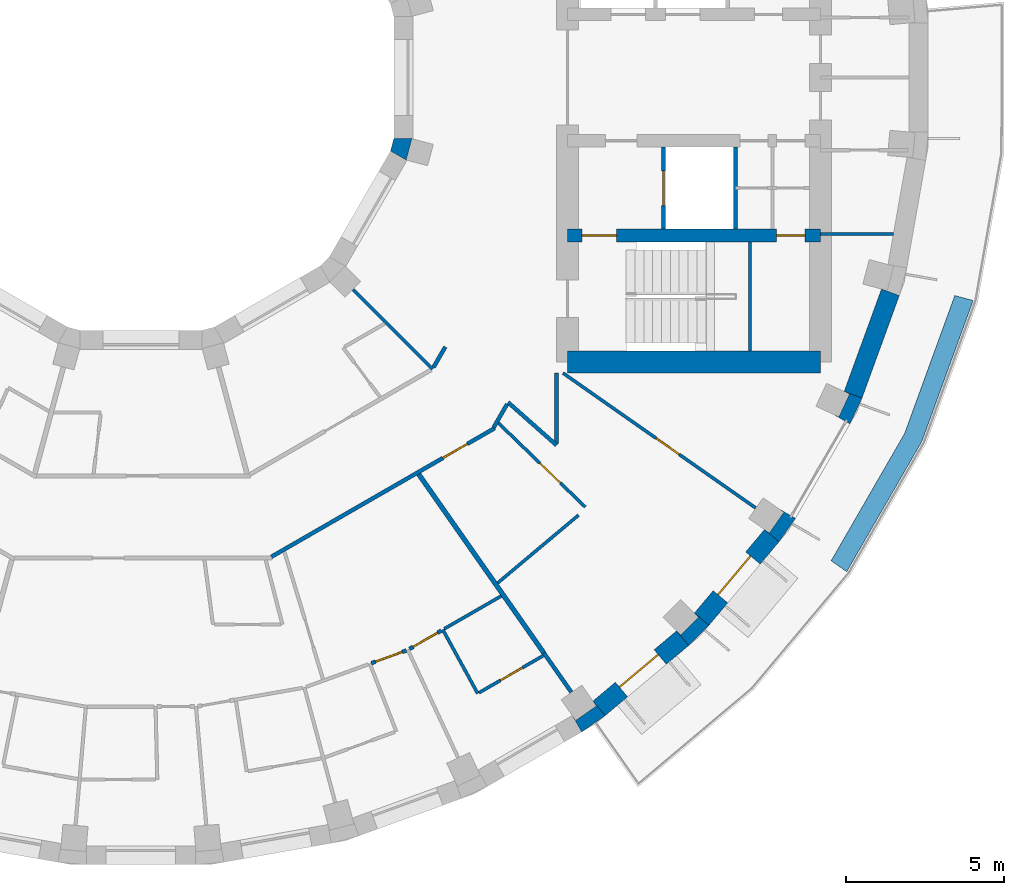
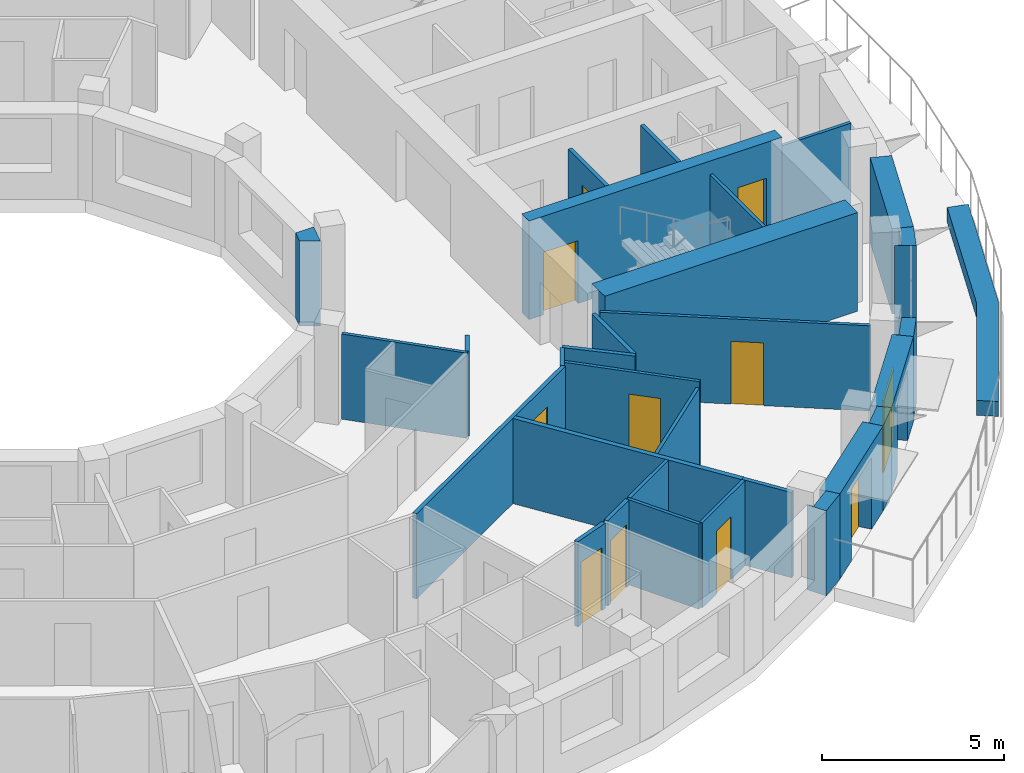
# One storey, part 8 of 14: 31 walls, 11 doors, 11 openings.
"""IFC4 building model written with IfcOpenShell, lengths in metres."""

import ifcopenshell
import ifcopenshell.guid

model = None  # the IFC model being written
_history = None  # IfcOwnerHistory: only IFC2X3 demands one
_inside = {}  # id of a spatial element -> (the spatial element, [elements in it])
_under = {}  # id of a project, library or spatial element -> (it, [spatial elements below it])
_declared = {}  # id of a project -> (the project, [libraries it declares])
_typed = {}  # id of a type object -> (the type object, [elements of that type])
_made_of = {}  # id of a material, layer set ... -> (it, [elements and type objects made of it])


def new_model(schema):
    """Start an empty IFC model of exactly this schema.

    Asked for "IFC4X3", IfcOpenShell would pick the latest addendum, in which some entities
    have other attributes; the version numbers below select the first issue.
    IFC2X3 requires an IfcOwnerHistory on every rooted entity: one is made here for all.
    """
    global model, _history
    if schema == "IFC4X3":
        model = ifcopenshell.file(schema_version=(4, 3, 0, 0))
    else:
        model = ifcopenshell.file(schema=schema)
    _inside.clear()
    _under.clear()
    _declared.clear()
    _typed.clear()
    _made_of.clear()
    _history = None
    if model.schema == "IFC2X3":
        org = make("IfcOrganization", Name="unknown")
        user = make(
            "IfcPersonAndOrganization",
            ThePerson=make("IfcPerson", FamilyName="unknown"),
            TheOrganization=org,
        )
        app = make(
            "IfcApplication",
            ApplicationDeveloper=org,
            Version="unknown",
            ApplicationFullName="unknown",
            ApplicationIdentifier="unknown",
        )
        _history = make(
            "IfcOwnerHistory",
            OwningUser=user,
            OwningApplication=app,
            ChangeAction="ADDED",
            CreationDate=0,
        )
    return model


def make(cls, **values):
    """One entity of the class cls with the attributes given. An attribute that is None is left unset."""
    return model.create_entity(
        cls, **{name: value for name, value in values.items() if value is not None}
    )


def rooted(cls, **values):
    """An entity with a GlobalId (a new one), such as an element, a storey or a relation."""
    return make(cls, GlobalId=ifcopenshell.guid.new(), OwnerHistory=_history, **values)


def si_unit(unit_type, name, prefix=None):
    """IfcSIUnit, for example si_unit("LENGTHUNIT", "METRE", prefix="MILLI")."""
    return make("IfcSIUnit", UnitType=unit_type, Prefix=prefix, Name=name)


def assignment(units):
    """IfcUnitAssignment: the units of a project."""
    return None if units is None else make("IfcUnitAssignment", Units=units)


def point(xyz):
    """IfcCartesianPoint."""
    return None if xyz is None else make("IfcCartesianPoint", Coordinates=xyz)


def direction(xyz):
    """IfcDirection."""
    return None if xyz is None else make("IfcDirection", DirectionRatios=xyz)


def frame(location, z_axis=None, x_axis=None):
    """IfcAxis2Placement3D, a coordinate frame: its origin and axes. An axis left out is left unset."""
    return make(
        "IfcAxis2Placement3D",
        Location=point(location),
        Axis=direction(z_axis),
        RefDirection=direction(x_axis),
    )


def frame_2d(location, x_axis=None):
    """IfcAxis2Placement2D, a coordinate frame in the plane: its origin and x axis."""
    return make(
        "IfcAxis2Placement2D", Location=point(location), RefDirection=direction(x_axis)
    )


def origin():
    """The frame at (0, 0, 0) with its axes left unset."""
    return frame((0.0, 0.0, 0.0))


def place(relative_to, where):
    """IfcLocalPlacement: puts the frame where relative to a parent placement (None: the world)."""
    return make(
        "IfcLocalPlacement", PlacementRelTo=relative_to, RelativePlacement=where
    )


def context(
    kind, dimensions, precision=None, world=None, true_north=None, identifier=None
):
    """IfcGeometricRepresentationContext, for example the 3D "Model" context."""
    return make(
        "IfcGeometricRepresentationContext",
        ContextIdentifier=identifier,
        ContextType=kind,
        CoordinateSpaceDimension=dimensions,
        Precision=precision,
        WorldCoordinateSystem=world,
        TrueNorth=true_north,
    )


def subcontext(parent, identifier, kind, view, scale=None):
    """IfcGeometricRepresentationSubContext, for example "Body" below "Model"."""
    return make(
        "IfcGeometricRepresentationSubContext",
        ContextIdentifier=identifier,
        ContextType=kind,
        ParentContext=parent,
        TargetScale=scale,
        TargetView=view,
    )


def project(units=None, contexts=None):
    """IfcProject with its units and contexts."""
    return rooted(
        "IfcProject",
        Name="project",
        RepresentationContexts=contexts,
        UnitsInContext=assignment(units),
    )


def spatial(cls, under=None, at=None, **own):
    """A site, building, storey or space (cls), placed at a placement, below another one or the project."""
    s = rooted(cls, ObjectPlacement=at, **own)
    if under is not None:
        _under.setdefault(under.id(), (under, []))[1].append(s)
    return s


def polyline(points):
    """IfcPolyline through the points."""
    return make("IfcPolyline", Points=[point(p) for p in points])


def profile(cls, at=None, kind="AREA", **sizes):
    """A parametric profile (cls). Its sizes go by their IFC names, for example OverallWidth=200.0."""
    return make(cls, ProfileType=kind, Position=at, **sizes)


def rectangle(**sizes):
    """IfcRectangleProfileDef."""
    return profile("IfcRectangleProfileDef", **sizes)


def outline(outer, holes=None, kind="AREA"):
    """IfcArbitraryClosedProfileDef: a profile drawn as a closed curve; with holes, ...WithVoids."""
    if holes is None:
        return make("IfcArbitraryClosedProfileDef", ProfileType=kind, OuterCurve=outer)
    return make(
        "IfcArbitraryProfileDefWithVoids",
        ProfileType=kind,
        OuterCurve=outer,
        InnerCurves=holes,
    )


def extrude(swept, where, along, depth):
    """IfcExtrudedAreaSolid: the profile swept, set in the frame where, extruded along a direction by depth."""
    return make(
        "IfcExtrudedAreaSolid",
        SweptArea=swept,
        Position=where,
        ExtrudedDirection=direction(along),
        Depth=depth,
    )


def shape(context_of_items, identifier, shape_type, items):
    """IfcShapeRepresentation: the items that make up one representation, for example the "Body"."""
    return make(
        "IfcShapeRepresentation",
        ContextOfItems=context_of_items,
        RepresentationIdentifier=identifier,
        RepresentationType=shape_type,
        Items=items,
    )


def material(Name=None, Category=None):
    """IfcMaterial."""
    return make("IfcMaterial", Name=Name, Category=Category)


def layer(
    of_material, thickness, ventilated=None, Name=None, Category=None, Priority=None
):
    """IfcMaterialLayer: one layer of a wall or slab, of a material (None: an air gap)."""
    return make(
        "IfcMaterialLayer",
        Material=of_material,
        LayerThickness=thickness,
        IsVentilated=ventilated,
        Name=Name,
        Category=Category,
        Priority=Priority,
    )


def layer_set(layers, Name=None):
    """IfcMaterialLayerSet."""
    return make("IfcMaterialLayerSet", MaterialLayers=layers, LayerSetName=Name)


def made_of(thing, what):
    """Note that an element or type object is made of a material, layer set ...; save() writes the relation."""
    if what is not None:
        _made_of.setdefault(what.id(), (what, []))[1].append(thing)
    return thing


def type_object(cls, material=None, **own):
    """A type object (cls), such as IfcWallType, which elements share."""
    return made_of(rooted(cls, **own), material)


def element(
    cls,
    number,
    at=None,
    inside=None,
    cuts=None,
    type_object=None,
    material=None,
    context=None,
    identifier="Body",
    shape_type=None,
    held_by="IfcProductDefinitionShape",
    body=None,
    shapes=None,
    **own,
):
    """One element of the class cls, such as IfcWall. Its Tag is "e" and its number.

    at: its placement. inside: the storey or other place that contains it. cuts: it is an
    opening in that element (IfcRelVoidsElement). A single representation is given by context,
    identifier, shape_type and body (its items); several are given by shapes. held_by: the class
    of the entity that holds the representations. save() writes the other relations.
    """
    e = rooted(cls, Tag="e%d" % number, ObjectPlacement=at, **own)
    if body is not None:
        shapes = [shape(context, identifier, shape_type, body)]
    if shapes is not None:
        e.Representation = make(held_by, Representations=shapes)
    if inside is not None:
        _inside.setdefault(inside.id(), (inside, []))[1].append(e)
    if cuts is not None:
        rooted(
            "IfcRelVoidsElement", RelatingBuildingElement=cuts, RelatedOpeningElement=e
        )
    if type_object is not None:
        _typed.setdefault(type_object.id(), (type_object, []))[1].append(e)
    return made_of(e, material)


def fill(opening, filler):
    """IfcRelFillsElement: the door or window that sits in an opening."""
    return rooted(
        "IfcRelFillsElement",
        RelatingOpeningElement=opening,
        RelatedBuildingElement=filler,
    )


def aggregate(whole, parts):
    """IfcRelAggregates: a whole, such as a stair, and the parts it consists of."""
    return rooted("IfcRelAggregates", RelatingObject=whole, RelatedObjects=parts)


def save(model, path):
    """Write the relations noted so far, then the file.

    IfcRelAggregates (storeys below a building ...), IfcRelContainedInSpatialStructure (elements
    in a storey), IfcRelDefinesByType, IfcRelAssociatesMaterial and IfcRelDeclares: one each for
    every whole, place, type object, material and project.
    """
    for whole, parts in _under.values():
        aggregate(whole, parts)
    for where, things in _inside.values():
        rooted(
            "IfcRelContainedInSpatialStructure",
            RelatedElements=things,
            RelatingStructure=where,
        )
    for kind, things in _typed.values():
        rooted("IfcRelDefinesByType", RelatedObjects=things, RelatingType=kind)
    for what, things in _made_of.values():
        rooted("IfcRelAssociatesMaterial", RelatedObjects=things, RelatingMaterial=what)
    for by, libraries in _declared.values():
        rooted("IfcRelDeclares", RelatingContext=by, RelatedDefinitions=libraries)
    model.write(path)


model = new_model("IFC4")

# Units and contexts
model_context = context("Model", 3, precision=1e-05, world=origin(), true_north=direction((0.0, 1.0)))
body_context = subcontext(model_context, "Body", "Model", "MODEL_VIEW")
ifc_project = project(units=[si_unit("LENGTHUNIT", "METRE"), si_unit("AREAUNIT", "SQUARE_METRE"), si_unit("VOLUMEUNIT", "CUBIC_METRE"), si_unit("PLANEANGLEUNIT", "RADIAN"), si_unit("MASSUNIT", "GRAM", prefix="KILO")], contexts=[model_context])

# Site, building, storey
site_placement = place(None, origin())
site = spatial("IfcSite", under=ifc_project, at=site_placement, CompositionType="ELEMENT")
building_placement = place(site_placement, origin())
building = spatial("IfcBuilding", under=site, at=building_placement, Name="Saqina Gate Tower", CompositionType="ELEMENT")
storey_placement = place(building_placement, frame((0.0, 0.0, 174.0)))
storey = spatial("IfcBuildingStorey", under=building, at=storey_placement, Name="L49", CompositionType="ELEMENT", Elevation=174.0)

# Walls
ifc_material_1 = material(Name="Brick masonry (buff)", Category="masonry")
wall_type_1 = type_object("IfcWallType", Name="BRICK PIER COPING BUFF", PredefinedType="SOLIDWALL", material=ifc_material_1)
wall_1_placement = place(storey_placement, origin())
element("IfcWall", 1, at=wall_1_placement, inside=storey, type_object=wall_type_1, Name="Pier cap L49 column 31", PredefinedType="SOLIDWALL", context=body_context, shape_type="SweptSolid", body=[
    extrude(outline(polyline([(13.9462890625, -20.705810546875), (14.687255859375, -20.18701171875), (14.301513671875, -19.727294921875), (14.408935546875, -19.880859375), (13.753662109375, -20.339599609375), (13.646240234375, -20.186279296875), (13.9462890625, -20.705810546875)])), origin(), (0.0, 0.0, 1.0), 2.85009765625),
])
wall_2_placement = place(storey_placement, origin())
element("IfcWall", 2, at=wall_2_placement, inside=storey, type_object=wall_type_1, Name="Pier cap L49 column 32", PredefinedType="SOLIDWALL", context=body_context, shape_type="SweptSolid", body=[
    extrude(outline(polyline([(17.969482421875, -17.329833984375), (17.510009765625, -16.944091796875), (17.642333984375, -17.07666015625), (17.07666015625, -17.642333984375), (16.944091796875, -17.510009765625), (17.329833984375, -17.969482421875), (17.969482421875, -17.329833984375)])), origin(), (0.0, 0.0, 1.0), 2.85009765625),
])
wall_3_placement = place(storey_placement, origin())
element("IfcWall", 3, at=wall_3_placement, inside=storey, type_object=wall_type_1, Name="Pier cap L49 column 33", PredefinedType="SOLIDWALL", context=body_context, shape_type="SweptSolid", body=[
    extrude(outline(polyline([(20.18701171875, -14.687255859375), (20.705810546875, -13.9462890625), (20.186279296875, -13.646240234375), (20.339599609375, -13.753662109375), (19.880859375, -14.408935546875), (19.727294921875, -14.301513671875), (20.18701171875, -14.687255859375)])), origin(), (0.0, 0.0, 1.0), 2.85009765625),
])
wall_4_placement = place(storey_placement, origin())
element("IfcWall", 4, at=wall_4_placement, inside=storey, type_object=wall_type_1, Name="Pier cap L49 column 34", PredefinedType="SOLIDWALL", context=body_context, shape_type="SweptSolid", body=[
    extrude(outline(polyline([(22.81298828125, -10.138916015625), (22.249267578125, -9.93359375), (22.4189453125, -10.0126953125), (22.080810546875, -10.73779296875), (21.9111328125, -10.65869140625), (22.4306640625, -10.958740234375), (22.81298828125, -10.138916015625)])), origin(), (0.0, 0.0, 1.0), 2.85009765625),
])
ifc_material_2 = material(Name="Gypsum board on steel studs", Category="steel")
ifc_layer_1 = layer(ifc_material_2, 0.10009765625)
ifc_layer_set_1 = layer_set([ifc_layer_1], Name="CORE PARTITION")
wall_type_2 = type_object("IfcWallType", Name="CORE PARTITION", PredefinedType="PARTITIONING", material=ifc_layer_set_1)
wall_5_placement = place(storey_placement, frame((21.5, -4.949951171875, 0.0), z_axis=(0.0, 0.0, 1.0), x_axis=(1.0, 0.0, 0.0)))
element("IfcWall", 5, at=wall_5_placement, inside=storey, type_object=wall_type_2, Name="L49-CP-E03", PredefinedType="PARTITIONING", context=body_context, shape_type="SweptSolid", body=[
    extrude(rectangle(XDim=2.306884765625, YDim=0.10009765625, at=frame_2d((1.1533203125, 0.0))), origin(), (0.0, 0.0, 1.0), 2.85009765625),
])

# Wall, opening, door
ifc_material_3 = material(Name="Brick masonry (buff)", Category="masonry")
ifc_layer_2 = layer(ifc_material_3, 0.60009765625)
ifc_layer_set_2 = layer_set([ifc_layer_2], Name="FW-BRICK-BUFF")
wall_type_3 = type_object("IfcWallType", Name="FW-BRICK-BUFF", PredefinedType="SOLIDWALL", material=ifc_layer_set_2)
wall_6_placement = place(storey_placement, frame((14.494384765625, -19.95703125, 0.0), z_axis=(0.0, 0.0, 1.0), x_axis=(0.766058884809, 0.642770398358, 0.0)))
wall_6 = element("IfcWall", 6, at=wall_6_placement, inside=storey, type_object=wall_type_3, Name="Facade wall L49 facet 31", PredefinedType="SOLIDWALL", context=body_context, shape_type="SweptSolid", body=[
    extrude(rectangle(XDim=3.449462890625, YDim=0.60009765625, at=frame_2d((1.724609375, 0.0))), origin(), (0.0, 0.0, 1.0), 2.85009765625),
])
opening_1_placement = place(wall_6_placement, frame((0.9248046875, 0.0, 0.0)))
opening_1 = element("IfcOpeningElement", 7, at=opening_1_placement, cuts=wall_6, Name="Opening G14-D80", PredefinedType="OPENING", context=body_context, shape_type="SweptSolid", body=[
    extrude(rectangle(XDim=1.60009765625, YDim=2.39990234375, at=frame_2d((0.800048828125, 1.199951171875))), frame((0.0, 0.31201171875, 0.0), z_axis=(0.0, -1.0, 0.0), x_axis=(1.0, 0.0, 0.0)), (0.0, 0.0, 1.0), 0.6240234375),
])
ifc_material_4 = material(Name="Aluminium glazing", Category="aluminium")
door_type_1 = type_object("IfcDoorType", Name="GD-C", OperationType="DOUBLE_DOOR_SINGLE_SWING", PredefinedType="DOOR", material=ifc_material_4)
door_1_placement = place(opening_1_placement, frame((1.60009765625, 0.0, 0.0), z_axis=(0.0, 0.0, 1.0), x_axis=(-1.0, 0.0, 0.0)))
door_1 = element("IfcDoor", 8, at=door_1_placement, inside=storey, type_object=door_type_1, Name="Terrace door L49 facet 31", OperationType="DOUBLE_DOOR_SINGLE_SWING", OverallHeight=2.39990234375, OverallWidth=1.60009765625, PredefinedType="DOOR", context=body_context, shape_type="SweptSolid", body=[
    extrude(rectangle(XDim=1.60009765625, YDim=2.39990234375, at=frame_2d((0.800048828125, 1.199951171875))), frame((0.0, -0.0751953125, 0.0), z_axis=(0.0, -1.0, 0.0), x_axis=(1.0, 0.0, 0.0)), (0.0, 0.0, 1.0), 0.050048828125),
])
fill(opening_1, door_1)

wall_7_placement = place(storey_placement, frame((17.73974609375, -17.136962890625, 0.0), z_axis=(0.0, 0.0, 1.0), x_axis=(0.642770398358, 0.766058884809, 0.0)))
wall_7 = element("IfcWall", 9, at=wall_7_placement, inside=storey, type_object=wall_type_3, Name="Facade wall L49 facet 32", PredefinedType="SOLIDWALL", context=body_context, shape_type="SweptSolid", body=[
    extrude(rectangle(XDim=3.449462890625, YDim=0.60009765625, at=frame_2d((1.724609375, 0.0))), origin(), (0.0, 0.0, 1.0), 2.85009765625),
])
opening_2_placement = place(wall_7_placement, frame((0.9248046875, 0.0, 0.0)))
opening_2 = element("IfcOpeningElement", 10, at=opening_2_placement, cuts=wall_7, Name="Opening G14-D81", PredefinedType="OPENING", context=body_context, shape_type="SweptSolid", body=[
    extrude(rectangle(XDim=1.60009765625, YDim=2.39990234375, at=frame_2d((0.800048828125, 1.199951171875))), frame((0.0, 0.31201171875, 0.0), z_axis=(0.0, -1.0, 0.0), x_axis=(1.0, 0.0, 0.0)), (0.0, 0.0, 1.0), 0.6240234375),
])
door_2_placement = place(opening_2_placement, frame((1.60009765625, 0.0, 0.0), z_axis=(0.0, 0.0, 1.0), x_axis=(-1.0, 0.0, 0.0)))
door_2 = element("IfcDoor", 11, at=door_2_placement, inside=storey, type_object=door_type_1, Name="Terrace door L49 facet 32", OperationType="DOUBLE_DOOR_SINGLE_SWING", OverallHeight=2.39990234375, OverallWidth=1.60009765625, PredefinedType="DOOR", context=body_context, shape_type="SweptSolid", body=[
    extrude(rectangle(XDim=1.60009765625, YDim=2.39990234375, at=frame_2d((0.800048828125, 1.199951171875))), frame((0.0, -0.0751953125, 0.0), z_axis=(0.0, -1.0, 0.0), x_axis=(1.0, 0.0, 0.0)), (0.0, 0.0, 1.0), 0.050048828125),
])
fill(opening_2, door_2)

# Walls
ifc_material_5 = material(Name="Glazed ceramic tile", Category="ceramic")
ifc_layer_3 = layer(ifc_material_5, 0.60009765625)
ifc_layer_set_3 = layer_set([ifc_layer_3], Name="FW-TILE")
wall_type_4 = type_object("IfcWallType", Name="FW-TILE", PredefinedType="SOLIDWALL", material=ifc_layer_set_3)
wall_8_placement = place(storey_placement, frame((22.531005859375, -10.0361328125, 0.0), z_axis=(0.0, 0.0, 1.0), x_axis=(0.342032843455, 0.93968799822, 0.0)))
element("IfcWall", 12, at=wall_8_placement, inside=storey, type_object=wall_type_4, Name="Facade wall L49 facet 34", PredefinedType="SOLIDWALL", context=body_context, shape_type="SweptSolid", body=[
    extrude(rectangle(XDim=3.44970703125, YDim=0.60009765625, at=frame_2d((1.724853515625, 0.0))), origin(), (0.0, 0.0, 1.0), 2.85009765625),
])
ifc_material_6 = material(Name="Gypsum board on steel studs, 100 mm", Category="steel")
ifc_layer_4 = layer(ifc_material_6, 0.10009765625)
ifc_layer_set_4 = layer_set([ifc_layer_4], Name="PARTITION 100")
wall_type_5 = type_object("IfcWallType", Name="PARTITION 100", PredefinedType="PARTITIONING", material=ifc_layer_set_4)
wall_9_placement = place(storey_placement, frame((9.551025390625, -17.469970703125, 0.0), z_axis=(0.0, 0.0, 1.0), x_axis=(0.479937439817, -0.877302715066, 0.0)))
element("IfcWall", 13, at=wall_9_placement, inside=storey, type_object=wall_type_5, Name="PARTITION PW3-19", PredefinedType="PARTITIONING", context=body_context, shape_type="SweptSolid", body=[
    extrude(rectangle(XDim=2.30029296875, YDim=0.10009765625, at=frame_2d((1.150146484375, 0.0))), origin(), (0.0, 0.0, 1.0), 2.85009765625),
])
wall_10_placement = place(storey_placement, frame((6.7119140625, -6.7119140625, 0.0), z_axis=(0.0, 0.0, 1.0), x_axis=(0.707106781187, -0.707106781187, 0.0)))
element("IfcWall", 14, at=wall_10_placement, inside=storey, type_object=wall_type_5, Name="PARTITION PW3-26", PredefinedType="PARTITIONING", context=body_context, shape_type="SweptSolid", body=[
    extrude(rectangle(XDim=3.552734375, YDim=0.10009765625, at=frame_2d((1.7763671875, 0.0))), origin(), (0.0, 0.0, 1.0), 2.85009765625),
])

# Wall, opening, door
wall_11_placement = place(storey_placement, frame((11.309814453125, -10.931396484375, 0.0), z_axis=(0.0, 0.0, 1.0), x_axis=(0.718976677459, -0.695034198634, 0.0)))
wall_11 = element("IfcWall", 15, at=wall_11_placement, inside=storey, type_object=wall_type_5, Name="PARTITION PW3-27", PredefinedType="PARTITIONING", context=body_context, shape_type="SweptSolid", body=[
    extrude(rectangle(XDim=3.823974609375, YDim=0.10009765625, at=frame_2d((1.912109375, 0.0))), origin(), (0.0, 0.0, 1.0), 2.85009765625),
])
opening_3_placement = place(wall_11_placement, frame((1.83056640625, 0.0, 0.0)))
opening_3 = element("IfcOpeningElement", 16, at=opening_3_placement, cuts=wall_11, Name="Opening G14-D62", PredefinedType="OPENING", context=body_context, shape_type="SweptSolid", body=[
    extrude(rectangle(XDim=0.89990234375, YDim=2.10009765625, at=frame_2d((0.449951171875, 1.050048828125))), frame((0.0, 0.06201171875, 0.0), z_axis=(0.0, -1.0, 0.0), x_axis=(1.0, 0.0, 0.0)), (0.0, 0.0, 1.0), 0.1240234375),
])
ifc_material_7 = material(Name="Timber door leaf, 900 mm", Category="wood")
door_type_2 = type_object("IfcDoorType", Name="DOOR 900 TIMBER", OperationType="SINGLE_SWING_LEFT", PredefinedType="DOOR", material=ifc_material_7)
door_3_placement = place(opening_3_placement, origin())
door_3 = element("IfcDoor", 17, at=door_3_placement, inside=storey, type_object=door_type_2, Name="DOOR G14-D62", OperationType="SINGLE_SWING_LEFT", OverallHeight=2.10009765625, OverallWidth=0.89990234375, PredefinedType="DOOR", context=body_context, shape_type="SweptSolid", body=[
    extrude(rectangle(XDim=0.89990234375, YDim=2.10009765625, at=frame_2d((0.449951171875, 1.050048828125))), frame((0.0, 0.02490234375, 0.0), z_axis=(0.0, -1.0, 0.0), x_axis=(1.0, 0.0, 0.0)), (0.0, 0.0, 1.0), 0.050048828125),
])
fill(opening_3, door_3)

wall_12_placement = place(storey_placement, frame((13.35302734375, -9.35009765625, 0.0), z_axis=(0.0, 0.0, 1.0), x_axis=(0.81917024189, -0.573550446606, 0.0)))
wall_12 = element("IfcWall", 18, at=wall_12_placement, inside=storey, type_object=wall_type_5, Name="PARTITION PW3-33", PredefinedType="PARTITIONING", context=body_context, shape_type="SweptSolid", body=[
    extrude(rectangle(XDim=7.43896484375, YDim=0.10009765625, at=frame_2d((3.719482421875, 0.0))), origin(), (0.0, 0.0, 1.0), 2.85009765625),
])
opening_4_placement = place(wall_12_placement, frame((3.59814453125, 0.0, 0.0)))
opening_4 = element("IfcOpeningElement", 19, at=opening_4_placement, cuts=wall_12, Name="Opening G14-D63", PredefinedType="OPENING", context=body_context, shape_type="SweptSolid", body=[
    extrude(rectangle(XDim=0.89990234375, YDim=2.10009765625, at=frame_2d((0.449951171875, 1.050048828125))), frame((0.0, 0.06201171875, 0.0), z_axis=(0.0, -1.0, 0.0), x_axis=(1.0, 0.0, 0.0)), (0.0, 0.0, 1.0), 0.1240234375),
])
door_4_placement = place(opening_4_placement, frame((0.89990234375, 0.0, 0.0), z_axis=(0.0, 0.0, 1.0), x_axis=(-1.0, 0.0, 0.0)))
door_4 = element("IfcDoor", 20, at=door_4_placement, inside=storey, type_object=door_type_2, Name="DOOR G14-D63", OperationType="SINGLE_SWING_LEFT", OverallHeight=2.10009765625, OverallWidth=0.89990234375, PredefinedType="DOOR", context=body_context, shape_type="SweptSolid", body=[
    extrude(rectangle(XDim=0.89990234375, YDim=2.10009765625, at=frame_2d((0.449951171875, 1.050048828125))), frame((0.0, 0.02490234375, 0.0), z_axis=(0.0, -1.0, 0.0), x_axis=(1.0, 0.0, 0.0)), (0.0, 0.0, 1.0), 0.050048828125),
])
fill(opening_4, door_4)

# Wall
wall_13_placement = place(storey_placement, frame((9.59375, -17.444091796875, 0.0), z_axis=(0.0, 0.0, 1.0), x_axis=(0.866570174263, 0.499055240507, 0.0)))
element("IfcWall", 21, at=wall_13_placement, inside=storey, type_object=wall_type_5, Name="PARTITION PW3-68", PredefinedType="PARTITIONING", context=body_context, shape_type="SweptSolid", body=[
    extrude(rectangle(XDim=2.08056640625, YDim=0.10009765625, at=frame_2d((1.040283203125, 0.0))), origin(), (0.0, 0.0, 1.0), 2.85009765625),
])

# Wall, opening, door
wall_14_placement = place(storey_placement, frame((10.6982421875, -19.462890625, 0.0), z_axis=(0.0, 0.0, 1.0), x_axis=(0.866206369469, 0.499686427163, 0.0)))
wall_14 = element("IfcWall", 22, at=wall_14_placement, inside=storey, type_object=wall_type_5, Name="PARTITION PW3-69", PredefinedType="PARTITIONING", context=body_context, shape_type="SweptSolid", body=[
    extrude(rectangle(XDim=2.3466796875, YDim=0.10009765625, at=frame_2d((1.17333984375, 0.0))), origin(), (0.0, 0.0, 1.0), 2.85009765625),
])
opening_5_placement = place(wall_14_placement, frame((0.779541015625, 0.0, 0.0)))
opening_5 = element("IfcOpeningElement", 23, at=opening_5_placement, cuts=wall_14, Name="Opening G14-D59", PredefinedType="OPENING", context=body_context, shape_type="SweptSolid", body=[
    extrude(rectangle(XDim=0.800048828125, YDim=2.10009765625, at=frame_2d((0.39990234375, 1.050048828125))), frame((0.0, 0.06201171875, 0.0), z_axis=(0.0, -1.0, 0.0), x_axis=(1.0, 0.0, 0.0)), (0.0, 0.0, 1.0), 0.1240234375),
])
ifc_material_8 = material(Name="Timber door leaf, 800 mm", Category="wood")
door_type_3 = type_object("IfcDoorType", Name="DOOR 800 TIMBER", OperationType="SINGLE_SWING_LEFT", PredefinedType="DOOR", material=ifc_material_8)
door_5_placement = place(opening_5_placement, frame((0.800048828125, 0.0, 0.0), z_axis=(0.0, 0.0, 1.0), x_axis=(-1.0, 0.0, 0.0)))
door_5 = element("IfcDoor", 24, at=door_5_placement, inside=storey, type_object=door_type_3, Name="DOOR G14-D59", OperationType="SINGLE_SWING_LEFT", OverallHeight=2.10009765625, OverallWidth=0.800048828125, PredefinedType="DOOR", context=body_context, shape_type="SweptSolid", body=[
    extrude(rectangle(XDim=0.800048828125, YDim=2.10009765625, at=frame_2d((0.39990234375, 1.050048828125))), frame((0.0, 0.02490234375, 0.0), z_axis=(0.0, -1.0, 0.0), x_axis=(1.0, 0.0, 0.0)), (0.0, 0.0, 1.0), 0.050048828125),
])
fill(opening_5, door_5)

# Walls
wall_15_placement = place(storey_placement, frame((11.287841796875, -15.990234375, 0.0), z_axis=(0.0, 0.0, 1.0), x_axis=(0.766106730911, 0.642713370681, 0.0)))
element("IfcWall", 25, at=wall_15_placement, inside=storey, type_object=wall_type_5, Name="PARTITION PW3-76", PredefinedType="PARTITIONING", context=body_context, shape_type="SweptSolid", body=[
    extrude(rectangle(XDim=3.337890625, YDim=0.10009765625, at=frame_2d((1.6689453125, 0.0))), origin(), (0.0, 0.0, 1.0), 2.85009765625),
])
ifc_material_9 = material(Name="Gypsum board on steel studs, 125 mm, fire rated", Category="steel")
ifc_layer_5 = layer(ifc_material_9, 0.125)
ifc_layer_set_5 = layer_set([ifc_layer_5], Name="PARTITION EI 30 125")
wall_type_6 = type_object("IfcWallType", Name="PARTITION EI 30 125", PredefinedType="PARTITIONING", material=ifc_layer_set_5)
wall_16_placement = place(storey_placement, frame((12.749267578125, -18.207763671875, 0.0), z_axis=(0.0, 0.0, 1.0), x_axis=(0.57406892907, -0.818806976446, 0.0)))
element("IfcWall", 26, at=wall_16_placement, inside=storey, type_object=wall_type_6, Name="PARTITION PW1-07", PredefinedType="PARTITIONING", context=body_context, shape_type="SweptSolid", body=[
    extrude(rectangle(XDim=1.51220703125, YDim=0.125, at=frame_2d((0.756103515625, 0.0))), origin(), (0.0, 0.0, 1.0), 2.85009765625),
])
wall_17_placement = place(storey_placement, frame((11.616943359375, -10.278076171875, 0.0), z_axis=(0.0, 0.0, 1.0), x_axis=(0.74902616167, -0.662540420754, 0.0)))
element("IfcWall", 27, at=wall_17_placement, inside=storey, type_object=wall_type_6, Name="PARTITION PW1-12", PredefinedType="PARTITIONING", context=body_context, shape_type="SweptSolid", body=[
    extrude(rectangle(XDim=2.046630859375, YDim=0.125, at=frame_2d((1.0234375, 0.0))), origin(), (0.0, 0.0, 1.0), 2.85009765625),
])

# Wall, opening, door
wall_18_placement = place(storey_placement, frame((7.2900390625, -18.529296875, 0.0), z_axis=(0.0, 0.0, 1.0), x_axis=(0.939642058785, 0.342159029346, 0.0)))
wall_18 = element("IfcWall", 28, at=wall_18_placement, inside=storey, type_object=wall_type_6, Name="PARTITION PW1-34", PredefinedType="PARTITIONING", context=body_context, shape_type="SweptSolid", body=[
    extrude(rectangle(XDim=1.177978515625, YDim=0.125, at=frame_2d((0.5888671875, 0.0))), origin(), (0.0, 0.0, 1.0), 2.85009765625),
])
opening_6_placement = place(wall_18_placement, frame((0.138916015625, 0.0, 0.0)))
opening_6 = element("IfcOpeningElement", 29, at=opening_6_placement, cuts=wall_18, Name="Opening G14-D56", PredefinedType="OPENING", context=body_context, shape_type="SweptSolid", body=[
    extrude(rectangle(XDim=0.89990234375, YDim=2.10009765625, at=frame_2d((0.449951171875, 1.050048828125))), frame((0.0, 0.074462890625, 0.0), z_axis=(0.0, -1.0, 0.0), x_axis=(1.0, 0.0, 0.0)), (0.0, 0.0, 1.0), 0.14892578125),
])
ifc_material_10 = material(Name="Fire door leaf EI 30, 900 mm")
door_type_4 = type_object("IfcDoorType", Name="DOOR 900 EI 30", OperationType="SINGLE_SWING_LEFT", PredefinedType="DOOR", material=ifc_material_10)
door_6_placement = place(opening_6_placement, origin())
door_6 = element("IfcDoor", 30, at=door_6_placement, inside=storey, type_object=door_type_4, Name="DOOR G14-D56", OperationType="SINGLE_SWING_RIGHT", OverallHeight=2.10009765625, OverallWidth=0.89990234375, PredefinedType="DOOR", context=body_context, shape_type="SweptSolid", body=[
    extrude(rectangle(XDim=0.89990234375, YDim=2.10009765625, at=frame_2d((0.449951171875, 1.050048828125))), frame((0.0, 0.02490234375, 0.0), z_axis=(0.0, -1.0, 0.0), x_axis=(1.0, 0.0, 0.0)), (0.0, 0.0, 1.0), 0.050048828125),
])
fill(opening_6, door_6)

wall_19_placement = place(storey_placement, frame((4.124755859375, -15.16455078125, 0.0), z_axis=(0.0, 0.0, 1.0), x_axis=(0.86652321779, 0.49913676786, 0.0)))
wall_19 = element("IfcWall", 31, at=wall_19_placement, inside=storey, type_object=wall_type_6, Name="PARTITION PW1-36", PredefinedType="PARTITIONING", context=body_context, shape_type="SweptSolid", body=[
    extrude(rectangle(XDim=8.1572265625, YDim=0.125, at=frame_2d((4.07861328125, 0.0))), origin(), (0.0, 0.0, 1.0), 2.85009765625),
])
opening_7_placement = place(wall_19_placement, frame((6.261474609375, 0.0, 0.0)))
opening_7 = element("IfcOpeningElement", 32, at=opening_7_placement, cuts=wall_19, Name="Opening G14-D61", PredefinedType="OPENING", context=body_context, shape_type="SweptSolid", body=[
    extrude(rectangle(XDim=0.89990234375, YDim=2.10009765625, at=frame_2d((0.449951171875, 1.050048828125))), frame((0.0, 0.074462890625, 0.0), z_axis=(0.0, -1.0, 0.0), x_axis=(1.0, 0.0, 0.0)), (0.0, 0.0, 1.0), 0.14892578125),
])
door_7_placement = place(opening_7_placement, frame((0.89990234375, 0.0, 0.0), z_axis=(0.0, 0.0, 1.0), x_axis=(-1.0, 0.0, 0.0)))
door_7 = element("IfcDoor", 33, at=door_7_placement, inside=storey, type_object=door_type_4, Name="DOOR G14-D61", OperationType="SINGLE_SWING_LEFT", OverallHeight=2.10009765625, OverallWidth=0.89990234375, PredefinedType="DOOR", context=body_context, shape_type="SweptSolid", body=[
    extrude(rectangle(XDim=0.89990234375, YDim=2.10009765625, at=frame_2d((0.449951171875, 1.050048828125))), frame((0.0, 0.02490234375, 0.0), z_axis=(0.0, -1.0, 0.0), x_axis=(1.0, 0.0, 0.0)), (0.0, 0.0, 1.0), 0.050048828125),
])
fill(opening_7, door_7)

wall_20_placement = place(storey_placement, frame((8.498046875, -18.07763671875, 0.0), z_axis=(0.0, 0.0, 1.0), x_axis=(0.866199532168, 0.499698279437, 0.0)))
wall_20 = element("IfcWall", 34, at=wall_20_placement, inside=storey, type_object=wall_type_6, Name="PARTITION PW1-37", PredefinedType="PARTITIONING", context=body_context, shape_type="SweptSolid", body=[
    extrude(rectangle(XDim=1.165771484375, YDim=0.125, at=frame_2d((0.5830078125, 0.0))), origin(), (0.0, 0.0, 1.0), 2.85009765625),
])
opening_8_placement = place(wall_20_placement, frame((0.126708984375, 0.0, 0.0)))
opening_8 = element("IfcOpeningElement", 35, at=opening_8_placement, cuts=wall_20, Name="Opening G14-D57", PredefinedType="OPENING", context=body_context, shape_type="SweptSolid", body=[
    extrude(rectangle(XDim=0.89990234375, YDim=2.10009765625, at=frame_2d((0.449951171875, 1.050048828125))), frame((0.0, 0.074462890625, 0.0), z_axis=(0.0, -1.0, 0.0), x_axis=(1.0, 0.0, 0.0)), (0.0, 0.0, 1.0), 0.14892578125),
])
door_8_placement = place(opening_8_placement, origin())
door_8 = element("IfcDoor", 36, at=door_8_placement, inside=storey, type_object=door_type_4, Name="DOOR G14-D57", OperationType="SINGLE_SWING_LEFT", OverallHeight=2.10009765625, OverallWidth=0.89990234375, PredefinedType="DOOR", context=body_context, shape_type="SweptSolid", body=[
    extrude(rectangle(XDim=0.89990234375, YDim=2.10009765625, at=frame_2d((0.449951171875, 1.050048828125))), frame((0.0, 0.02490234375, 0.0), z_axis=(0.0, -1.0, 0.0), x_axis=(1.0, 0.0, 0.0)), (0.0, 0.0, 1.0), 0.050048828125),
])
fill(opening_8, door_8)

# Walls
wall_21_placement = place(storey_placement, frame((11.158203125, -11.07275390625, 0.0), z_axis=(0.0, 0.0, 1.0), x_axis=(0.499854250852, 0.866109535743, 0.0)))
element("IfcWall", 37, at=wall_21_placement, inside=storey, type_object=wall_type_6, Name="PARTITION PW1-45", PredefinedType="PARTITIONING", context=body_context, shape_type="SweptSolid", body=[
    extrude(rectangle(XDim=0.855224609375, YDim=0.125, at=frame_2d((0.427734375, 0.0))), origin(), (0.0, 0.0, 1.0), 2.85009765625),
])
wall_22_placement = place(storey_placement, frame((9.255126953125, -9.169921875, 0.0), z_axis=(0.0, 0.0, 1.0), x_axis=(0.499534624366, 0.866293921865, 0.0)))
element("IfcWall", 38, at=wall_22_placement, inside=storey, type_object=wall_type_6, Name="PARTITION PW1-46", PredefinedType="PARTITIONING", context=body_context, shape_type="SweptSolid", body=[
    extrude(rectangle(XDim=0.750244140625, YDim=0.125, at=frame_2d((0.375, 0.0))), origin(), (0.0, 0.0, 1.0), 2.85009765625),
])
wall_23_placement = place(storey_placement, frame((13.14990234375, -11.571533203125, 0.0), z_axis=(0.0, 0.0, 1.0), x_axis=(0.0, 1.0, 0.0)))
element("IfcWall", 39, at=wall_23_placement, inside=storey, type_object=wall_type_6, Name="PARTITION PW1-49", PredefinedType="PARTITIONING", context=body_context, shape_type="SweptSolid", body=[
    extrude(rectangle(XDim=2.221435546875, YDim=0.125, at=frame_2d((1.11083984375, 0.0))), origin(), (0.0, 0.0, 1.0), 2.85009765625),
])
ifc_material_11 = material(Name="Gypsum board on steel studs, 150 mm, fire rated", Category="steel")
ifc_layer_6 = layer(ifc_material_11, 0.14990234375)
ifc_layer_set_6 = layer_set([ifc_layer_6], Name="PARTITION EI 60 150")
wall_type_7 = type_object("IfcWallType", Name="PARTITION EI 60 150", PredefinedType="PARTITIONING", material=ifc_layer_set_6)
wall_24_placement = place(storey_placement, frame((8.787841796875, -12.55029296875, 0.0), z_axis=(0.0, 0.0, 1.0), x_axis=(0.573514537479, -0.819195382861, 0.0)))
element("IfcWall", 40, at=wall_24_placement, inside=storey, type_object=wall_type_7, Name="PARTITION PW2-04", PredefinedType="PARTITIONING", context=body_context, shape_type="SweptSolid", body=[
    extrude(rectangle(XDim=6.906494140625, YDim=0.14990234375, at=frame_2d((3.453125, 0.0))), origin(), (0.0, 0.0, 1.0), 2.85009765625),
])
ifc_material_12 = material(Name="Brick masonry (red)", Category="masonry")
ifc_layer_7 = layer(ifc_material_12, 0.60009765625)
ifc_layer_set_7 = layer_set([ifc_layer_7], Name="PL-PLANTER")
wall_type_8 = type_object("IfcWallType", Name="PL-PLANTER", PredefinedType="PARAPET", material=ifc_layer_set_7)
wall_25_placement = place(storey_placement, origin())
element("IfcWall", 41, at=wall_25_placement, inside=storey, type_object=wall_type_8, Name="Planter L49", PredefinedType="PARAPET", context=body_context, shape_type="SweptSolid", body=[
    extrude(outline(polyline([(22.328857421875, -15.635009765625), (24.70458984375, -11.52001953125), (26.329833984375, -7.054931640625), (25.748046875, -6.899169921875), (24.15869140625, -11.265380859375), (21.835693359375, -15.289306640625), (22.328857421875, -15.635009765625)])), origin(), (0.0, 0.0, 1.0), 0.5),
])

# Wall, opening, door
ifc_material_13 = material(Name="Autoclaved aerated concrete block", Category="concrete")
ifc_layer_8 = layer(ifc_material_13, 0.1201171875)
ifc_layer_set_8 = layer_set([ifc_layer_8], Name="SHAFT PARTITION")
wall_type_9 = type_object("IfcWallType", Name="SHAFT PARTITION", PredefinedType="PARTITIONING", material=ifc_layer_set_8)
wall_26_placement = place(storey_placement, frame((16.530029296875, -4.800048828125, 0.0), z_axis=(0.0, 0.0, 1.0), x_axis=(0.0, 1.0, 0.0)))
wall_26 = element("IfcWall", 42, at=wall_26_placement, inside=storey, type_object=wall_type_9, Name="L49-CP-E08", PredefinedType="PARTITIONING", context=body_context, shape_type="SweptSolid", body=[
    extrude(rectangle(XDim=2.60009765625, YDim=0.1201171875, at=frame_2d((1.300048828125, 0.0))), origin(), (0.0, 0.0, 1.0), 2.85009765625),
])
opening_9_placement = place(wall_26_placement, frame((0.75, 0.0, 0.0)))
opening_9 = element("IfcOpeningElement", 43, at=opening_9_placement, cuts=wall_26, Name="Opening G14-LD3", PredefinedType="OPENING", context=body_context, shape_type="SweptSolid", body=[
    extrude(rectangle(XDim=1.10009765625, YDim=2.10009765625, at=frame_2d((0.550048828125, 1.050048828125))), frame((0.0, 0.072021484375, 0.0), z_axis=(0.0, -1.0, 0.0), x_axis=(1.0, 0.0, 0.0)), (0.0, 0.0, 1.0), 0.14404296875),
])
ifc_material_14 = material(Name="Stainless steel", Category="steel")
door_type_5 = type_object("IfcDoorType", Name="LANDING DOOR", OperationType="DOUBLE_DOOR_SLIDING", PredefinedType="DOOR", material=ifc_material_14)
door_9_placement = place(opening_9_placement, origin())
door_9 = element("IfcDoor", 44, at=door_9_placement, inside=storey, type_object=door_type_5, Name="LANDING DOOR FF1", OperationType="DOUBLE_DOOR_SLIDING", OverallHeight=2.10009765625, OverallWidth=1.10009765625, PredefinedType="DOOR", context=body_context, shape_type="SweptSolid", body=[
    extrude(rectangle(XDim=1.10009765625, YDim=2.10009765625, at=frame_2d((0.550048828125, 1.050048828125))), frame((0.0, 0.02490234375, 0.0), z_axis=(0.0, -1.0, 0.0), x_axis=(1.0, 0.0, 0.0)), (0.0, 0.0, 1.0), 0.050048828125),
])
fill(opening_9, door_9)

# Walls
wall_27_placement = place(storey_placement, frame((18.81005859375, -4.800048828125, 0.0), z_axis=(0.0, 0.0, 1.0), x_axis=(0.0, 1.0, 0.0)))
element("IfcWall", 45, at=wall_27_placement, inside=storey, type_object=wall_type_9, Name="L49-CP-E09", PredefinedType="PARTITIONING", context=body_context, shape_type="SweptSolid", body=[
    extrude(rectangle(XDim=2.60009765625, YDim=0.1201171875, at=frame_2d((1.300048828125, 0.0))), origin(), (0.0, 0.0, 1.0), 2.85009765625),
])
ifc_material_15 = material(Name="Autoclaved aerated concrete block", Category="concrete")
ifc_layer_9 = layer(ifc_material_15, 0.10009765625)
ifc_layer_set_9 = layer_set([ifc_layer_9], Name="STAIR ENCLOSURE WALL")
wall_type_10 = type_object("IfcWallType", Name="STAIR ENCLOSURE WALL", PredefinedType="PARTITIONING", material=ifc_layer_set_9)
wall_28_placement = place(storey_placement, frame((19.27001953125, -8.64990234375, 0.0), z_axis=(0.0, 0.0, 1.0), x_axis=(0.0, 1.0, 0.0)))
element("IfcWall", 46, at=wall_28_placement, inside=storey, type_object=wall_type_10, Name="L49-CP-E15", PredefinedType="PARTITIONING", context=body_context, shape_type="SweptSolid", body=[
    extrude(rectangle(XDim=3.449951171875, YDim=0.10009765625, at=frame_2d((1.72509765625, 0.0))), origin(), (0.0, 0.0, 1.0), 2.85009765625),
])

# Wall, openings, doors
ifc_material_16 = material(Name="Concrete C60/75", Category="concrete")
ifc_layer_10 = layer(ifc_material_16, 0.39990234375)
ifc_layer_set_10 = layer_set([ifc_layer_10], Name="Concrete C60/75")
wall_type_11 = type_object("IfcWallType", Name="STR-CORE WALL-C-I", PredefinedType="SHEAR", material=ifc_layer_set_10)
wall_29_placement = place(storey_placement, frame((13.5, -5.0, 0.0), z_axis=(0.0, 0.0, 1.0), x_axis=(1.0, 0.0, 0.0)))
wall_29 = element("IfcWall", 47, at=wall_29_placement, inside=storey, type_object=wall_type_11, Name="CORE WALL L49 E-X2", PredefinedType="SHEAR", context=body_context, shape_type="SweptSolid", body=[
    extrude(rectangle(XDim=8.0, YDim=0.39990234375, at=frame_2d((4.0, 0.0))), origin(), (0.0, 0.0, 1.0), 3.300048828125),
])
opening_10_placement = place(wall_29_placement, frame((6.614990234375, 0.0, 0.0)))
opening_10 = element("IfcOpeningElement", 48, at=opening_10_placement, cuts=wall_29, Name="Opening G14-D102", PredefinedType="OPENING", context=body_context, shape_type="SweptSolid", body=[
    extrude(rectangle(XDim=0.89990234375, YDim=2.10009765625, at=frame_2d((0.449951171875, 1.050048828125))), frame((0.0, 0.2119140625, 0.0), z_axis=(0.0, -1.0, 0.0), x_axis=(1.0, 0.0, 0.0)), (0.0, 0.0, 1.0), 0.423828125),
])
opening_11_placement = place(wall_29_placement, frame((0.449951171875, 0.0, 0.0)))
opening_11 = element("IfcOpeningElement", 49, at=opening_11_placement, cuts=wall_29, Name="Opening G14-D103", PredefinedType="OPENING", context=body_context, shape_type="SweptSolid", body=[
    extrude(rectangle(XDim=1.10009765625, YDim=2.10009765625, at=frame_2d((0.550048828125, 1.050048828125))), frame((0.0, 0.2119140625, 0.0), z_axis=(0.0, -1.0, 0.0), x_axis=(1.0, 0.0, 0.0)), (0.0, 0.0, 1.0), 0.423828125),
])
ifc_material_17 = material(Name="Steel", Category="steel")
door_type_6 = type_object("IfcDoorType", Name="FIRE LOBBY DOOR EI 60 WIDE", OperationType="SINGLE_SWING_LEFT", PredefinedType="DOOR", material=ifc_material_17)
door_10_placement = place(opening_11_placement, frame((1.10009765625, 0.0, 0.0), z_axis=(0.0, 0.0, 1.0), x_axis=(-1.0, 0.0, 0.0)))
door_10 = element("IfcDoor", 50, at=door_10_placement, inside=storey, type_object=door_type_6, Name="L49-CD-E14", OperationType="SINGLE_SWING_RIGHT", OverallHeight=2.10009765625, OverallWidth=1.10009765625, PredefinedType="DOOR", context=body_context, shape_type="SweptSolid", body=[
    extrude(rectangle(XDim=1.10009765625, YDim=2.10009765625, at=frame_2d((0.550048828125, 1.050048828125))), frame((0.0, 0.02490234375, 0.0), z_axis=(0.0, -1.0, 0.0), x_axis=(1.0, 0.0, 0.0)), (0.0, 0.0, 1.0), 0.050048828125),
])
fill(opening_11, door_10)
ifc_material_18 = material(Name="Steel-framed fire door leaf, EI 60", Category="steel")
door_type_7 = type_object("IfcDoorType", Name="SERVICE ROOM DOOR 900", OperationType="SINGLE_SWING_LEFT", PredefinedType="DOOR", material=ifc_material_18)
door_11_placement = place(opening_10_placement, frame((0.89990234375, 0.0, 0.0), z_axis=(0.0, 0.0, 1.0), x_axis=(-1.0, 0.0, 0.0)))
door_11 = element("IfcDoor", 51, at=door_11_placement, inside=storey, type_object=door_type_7, Name="L49-CD-E13", OperationType="SINGLE_SWING_LEFT", OverallHeight=2.10009765625, OverallWidth=0.89990234375, PredefinedType="DOOR", context=body_context, shape_type="SweptSolid", body=[
    extrude(rectangle(XDim=0.89990234375, YDim=2.10009765625, at=frame_2d((0.449951171875, 1.050048828125))), frame((0.0, 0.02490234375, 0.0), z_axis=(0.0, -1.0, 0.0), x_axis=(1.0, 0.0, 0.0)), (0.0, 0.0, 1.0), 0.050048828125),
])
fill(opening_10, door_11)

# Walls
ifc_material_19 = material(Name="Concrete C60/75", Category="concrete")
ifc_layer_11 = layer(ifc_material_19, 0.699951171875)
ifc_layer_set_11 = layer_set([ifc_layer_11], Name="Concrete C60/75")
wall_type_12 = type_object("IfcWallType", Name="STR-CORE WALL-C-O", PredefinedType="SHEAR", material=ifc_layer_set_11)
wall_30_placement = place(storey_placement, frame((13.5, -9.0, 0.0), z_axis=(0.0, 0.0, 1.0), x_axis=(1.0, 0.0, 0.0)))
element("IfcWall", 52, at=wall_30_placement, inside=storey, type_object=wall_type_12, Name="CORE WALL L49 E-SE", PredefinedType="SHEAR", context=body_context, shape_type="SweptSolid", body=[
    extrude(rectangle(XDim=8.0, YDim=0.699951171875, at=frame_2d((4.0, 0.0))), origin(), (0.0, 0.0, 1.0), 3.300048828125),
])
ifc_material_20 = material(Name="Glazed ceramic tile", Category="ceramic")
wall_type_13 = type_object("IfcWallType", Name="TILE PIER COPING", PredefinedType="SOLIDWALL", material=ifc_material_20)
wall_31_placement = place(storey_placement, origin())
element("IfcWall", 53, at=wall_31_placement, inside=storey, type_object=wall_type_13, Name="Well pier cap L49 column 12", PredefinedType="SOLIDWALL", context=body_context, shape_type="SweptSolid", body=[
    extrude(outline(polyline([(8.573486328125, -1.934814453125), (8.0, -1.934814453125), (7.895751953125, -2.32421875), (8.392333984375, -2.611083984375), (8.573486328125, -1.934814453125)])), origin(), (0.0, 0.0, 1.0), 2.85009765625),
])

save(model, "model.ifc")
